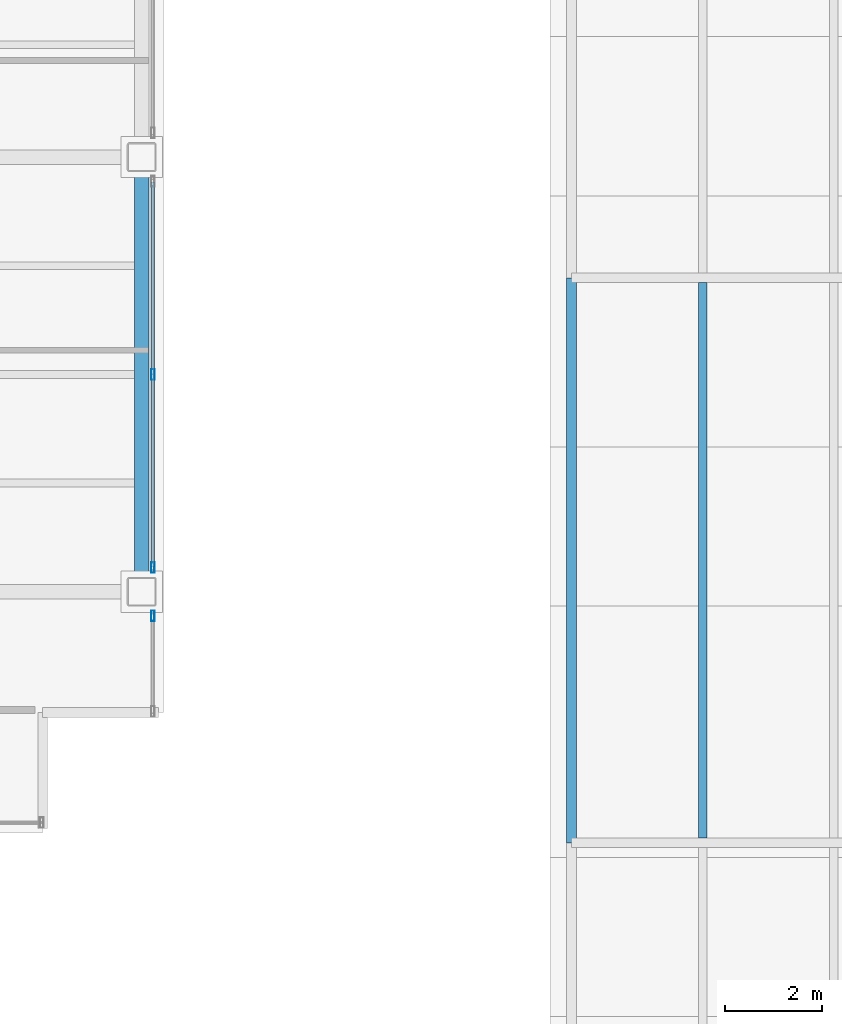
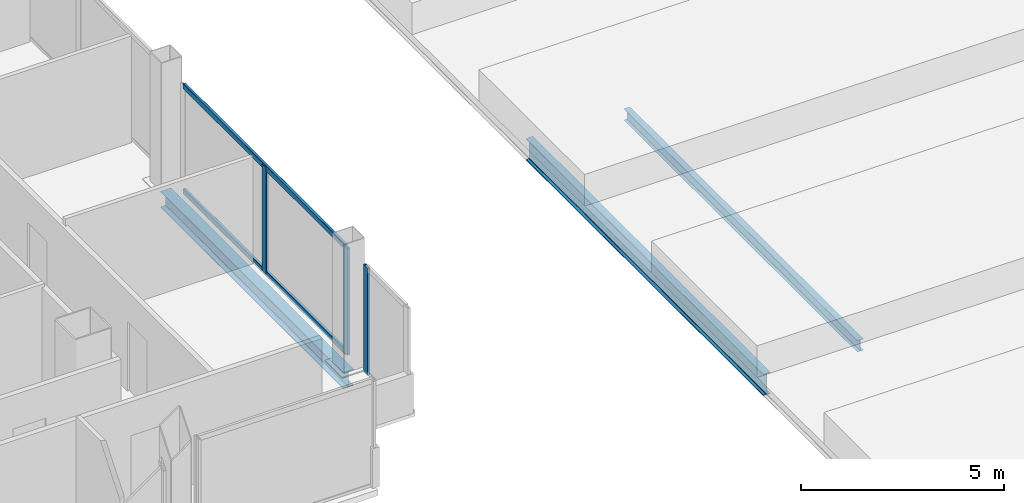
# One storey, part 12 of 30: 5 members, 3 beams, 2 elements without a shape of their own.
"""IFC4 building model written with IfcOpenShell, lengths in metres."""

import ifcopenshell
import ifcopenshell.guid

model = None  # the IFC model being written
_history = None  # IfcOwnerHistory: only IFC2X3 demands one
_inside = {}  # id of a spatial element -> (the spatial element, [elements in it])
_under = {}  # id of a project, library or spatial element -> (it, [spatial elements below it])
_declared = {}  # id of a project -> (the project, [libraries it declares])
_typed = {}  # id of a type object -> (the type object, [elements of that type])
_made_of = {}  # id of a material, layer set ... -> (it, [elements and type objects made of it])


def new_model(schema):
    """Start an empty IFC model of exactly this schema.

    Asked for "IFC4X3", IfcOpenShell would pick the latest addendum, in which some entities
    have other attributes; the version numbers below select the first issue.
    IFC2X3 requires an IfcOwnerHistory on every rooted entity: one is made here for all.
    """
    global model, _history
    if schema == "IFC4X3":
        model = ifcopenshell.file(schema_version=(4, 3, 0, 0))
    else:
        model = ifcopenshell.file(schema=schema)
    _inside.clear()
    _under.clear()
    _declared.clear()
    _typed.clear()
    _made_of.clear()
    _history = None
    if model.schema == "IFC2X3":
        org = make("IfcOrganization", Name="unknown")
        user = make(
            "IfcPersonAndOrganization",
            ThePerson=make("IfcPerson", FamilyName="unknown"),
            TheOrganization=org,
        )
        app = make(
            "IfcApplication",
            ApplicationDeveloper=org,
            Version="unknown",
            ApplicationFullName="unknown",
            ApplicationIdentifier="unknown",
        )
        _history = make(
            "IfcOwnerHistory",
            OwningUser=user,
            OwningApplication=app,
            ChangeAction="ADDED",
            CreationDate=0,
        )
    return model


def make(cls, **values):
    """One entity of the class cls with the attributes given. An attribute that is None is left unset."""
    return model.create_entity(
        cls, **{name: value for name, value in values.items() if value is not None}
    )


def rooted(cls, **values):
    """An entity with a GlobalId (a new one), such as an element, a storey or a relation."""
    return make(cls, GlobalId=ifcopenshell.guid.new(), OwnerHistory=_history, **values)


def si_unit(unit_type, name, prefix=None):
    """IfcSIUnit, for example si_unit("LENGTHUNIT", "METRE", prefix="MILLI")."""
    return make("IfcSIUnit", UnitType=unit_type, Prefix=prefix, Name=name)


def assignment(units):
    """IfcUnitAssignment: the units of a project."""
    return None if units is None else make("IfcUnitAssignment", Units=units)


def point(xyz):
    """IfcCartesianPoint."""
    return None if xyz is None else make("IfcCartesianPoint", Coordinates=xyz)


def direction(xyz):
    """IfcDirection."""
    return None if xyz is None else make("IfcDirection", DirectionRatios=xyz)


def frame(location, z_axis=None, x_axis=None):
    """IfcAxis2Placement3D, a coordinate frame: its origin and axes. An axis left out is left unset."""
    return make(
        "IfcAxis2Placement3D",
        Location=point(location),
        Axis=direction(z_axis),
        RefDirection=direction(x_axis),
    )


def frame_2d(location, x_axis=None):
    """IfcAxis2Placement2D, a coordinate frame in the plane: its origin and x axis."""
    return make(
        "IfcAxis2Placement2D", Location=point(location), RefDirection=direction(x_axis)
    )


def origin():
    """The frame at (0, 0, 0) with its axes left unset."""
    return frame((0.0, 0.0, 0.0))


def origin_2d():
    """The frame at (0, 0) in the plane with its x axis left unset."""
    return frame_2d((0.0, 0.0))


def place(relative_to, where):
    """IfcLocalPlacement: puts the frame where relative to a parent placement (None: the world)."""
    return make(
        "IfcLocalPlacement", PlacementRelTo=relative_to, RelativePlacement=where
    )


def context(
    kind, dimensions, precision=None, world=None, true_north=None, identifier=None
):
    """IfcGeometricRepresentationContext, for example the 3D "Model" context."""
    return make(
        "IfcGeometricRepresentationContext",
        ContextIdentifier=identifier,
        ContextType=kind,
        CoordinateSpaceDimension=dimensions,
        Precision=precision,
        WorldCoordinateSystem=world,
        TrueNorth=true_north,
    )


def subcontext(parent, identifier, kind, view, scale=None):
    """IfcGeometricRepresentationSubContext, for example "Body" below "Model"."""
    return make(
        "IfcGeometricRepresentationSubContext",
        ContextIdentifier=identifier,
        ContextType=kind,
        ParentContext=parent,
        TargetScale=scale,
        TargetView=view,
    )


def project(units=None, contexts=None):
    """IfcProject with its units and contexts."""
    return rooted(
        "IfcProject",
        Name="project",
        RepresentationContexts=contexts,
        UnitsInContext=assignment(units),
    )


def spatial(cls, under=None, at=None, **own):
    """A site, building, storey or space (cls), placed at a placement, below another one or the project."""
    s = rooted(cls, ObjectPlacement=at, **own)
    if under is not None:
        _under.setdefault(under.id(), (under, []))[1].append(s)
    return s


def profile(cls, at=None, kind="AREA", **sizes):
    """A parametric profile (cls). Its sizes go by their IFC names, for example OverallWidth=200.0."""
    return make(cls, ProfileType=kind, Position=at, **sizes)


def hollow_rectangle(**sizes):
    """IfcRectangleHollowProfileDef."""
    return profile("IfcRectangleHollowProfileDef", **sizes)


def i_section(**sizes):
    """IfcIShapeProfileDef."""
    return profile("IfcIShapeProfileDef", **sizes)


def extrude(swept, where, along, depth):
    """IfcExtrudedAreaSolid: the profile swept, set in the frame where, extruded along a direction by depth."""
    return make(
        "IfcExtrudedAreaSolid",
        SweptArea=swept,
        Position=where,
        ExtrudedDirection=direction(along),
        Depth=depth,
    )


def shape(context_of_items, identifier, shape_type, items):
    """IfcShapeRepresentation: the items that make up one representation, for example the "Body"."""
    return make(
        "IfcShapeRepresentation",
        ContextOfItems=context_of_items,
        RepresentationIdentifier=identifier,
        RepresentationType=shape_type,
        Items=items,
    )


def material(Name=None, Category=None):
    """IfcMaterial."""
    return make("IfcMaterial", Name=Name, Category=Category)


def material_profile(
    of_material, cross_section, Name=None, Category=None, Priority=None
):
    """IfcMaterialProfile: a cross section and its material."""
    return make(
        "IfcMaterialProfile",
        Name=Name,
        Material=of_material,
        Profile=cross_section,
        Priority=Priority,
        Category=Category,
    )


def profile_set(profiles, Name=None, composite=None):
    """IfcMaterialProfileSet."""
    return make(
        "IfcMaterialProfileSet",
        Name=Name,
        MaterialProfiles=profiles,
        CompositeProfile=composite,
    )


def made_of(thing, what):
    """Note that an element or type object is made of a material, layer set ...; save() writes the relation."""
    if what is not None:
        _made_of.setdefault(what.id(), (what, []))[1].append(thing)
    return thing


def type_object(cls, material=None, **own):
    """A type object (cls), such as IfcWallType, which elements share."""
    return made_of(rooted(cls, **own), material)


def element(
    cls,
    number,
    at=None,
    inside=None,
    cuts=None,
    type_object=None,
    material=None,
    context=None,
    identifier="Body",
    shape_type=None,
    held_by="IfcProductDefinitionShape",
    body=None,
    shapes=None,
    **own,
):
    """One element of the class cls, such as IfcWall. Its Tag is "e" and its number.

    at: its placement. inside: the storey or other place that contains it. cuts: it is an
    opening in that element (IfcRelVoidsElement). A single representation is given by context,
    identifier, shape_type and body (its items); several are given by shapes. held_by: the class
    of the entity that holds the representations. save() writes the other relations.
    """
    e = rooted(cls, Tag="e%d" % number, ObjectPlacement=at, **own)
    if body is not None:
        shapes = [shape(context, identifier, shape_type, body)]
    if shapes is not None:
        e.Representation = make(held_by, Representations=shapes)
    if inside is not None:
        _inside.setdefault(inside.id(), (inside, []))[1].append(e)
    if cuts is not None:
        rooted(
            "IfcRelVoidsElement", RelatingBuildingElement=cuts, RelatedOpeningElement=e
        )
    if type_object is not None:
        _typed.setdefault(type_object.id(), (type_object, []))[1].append(e)
    return made_of(e, material)


def aggregate(whole, parts):
    """IfcRelAggregates: a whole, such as a stair, and the parts it consists of."""
    return rooted("IfcRelAggregates", RelatingObject=whole, RelatedObjects=parts)


def save(model, path):
    """Write the relations noted so far, then the file.

    IfcRelAggregates (storeys below a building ...), IfcRelContainedInSpatialStructure (elements
    in a storey), IfcRelDefinesByType, IfcRelAssociatesMaterial and IfcRelDeclares: one each for
    every whole, place, type object, material and project.
    """
    for whole, parts in _under.values():
        aggregate(whole, parts)
    for where, things in _inside.values():
        rooted(
            "IfcRelContainedInSpatialStructure",
            RelatedElements=things,
            RelatingStructure=where,
        )
    for kind, things in _typed.values():
        rooted("IfcRelDefinesByType", RelatedObjects=things, RelatingType=kind)
    for what, things in _made_of.values():
        rooted("IfcRelAssociatesMaterial", RelatedObjects=things, RelatingMaterial=what)
    for by, libraries in _declared.values():
        rooted("IfcRelDeclares", RelatingContext=by, RelatedDefinitions=libraries)
    model.write(path)


model = new_model("IFC4")

# Units and contexts
model_context = context("Model", 3, precision=1e-05, world=origin(), true_north=direction((0.0, 1.0)))
body_context = subcontext(model_context, "Body", "Model", "MODEL_VIEW")
ifc_project = project(units=[si_unit("LENGTHUNIT", "METRE"), si_unit("AREAUNIT", "SQUARE_METRE"), si_unit("VOLUMEUNIT", "CUBIC_METRE"), si_unit("PLANEANGLEUNIT", "RADIAN"), si_unit("MASSUNIT", "GRAM", prefix="KILO")], contexts=[model_context])

# Site, building, storey
site_placement = place(None, origin())
site = spatial("IfcSite", under=ifc_project, at=site_placement, CompositionType="ELEMENT")
building_placement = place(site_placement, origin())
building = spatial("IfcBuilding", under=site, at=building_placement, Name="Noeulbin Bourse Tower", CompositionType="ELEMENT")
storey_placement = place(building_placement, frame((0.0, 0.0, 26.5)))
storey = spatial("IfcBuildingStorey", under=building, at=storey_placement, Name="L06", CompositionType="ELEMENT", Elevation=26.5)

# Beams
ifc_material_1 = material(Name="Steel S355", Category="steel")
ifc_material_profile_1 = material_profile(ifc_material_1, i_section(OverallWidth=0.199951171875, OverallDepth=0.64990234375, WebThickness=0.010986328125, FlangeThickness=0.01904296875, FilletRadius=0.02197265625, at=origin_2d()), Name="H-650x200x11x19", Category="LoadBearing")
ifc_profile_set_1 = profile_set([ifc_material_profile_1], Name="Steel S355")
beam_type_1 = type_object("IfcBeamType", Name="BM-GRD-650", PredefinedType="USERDEFINED", material=ifc_profile_set_1)
beam_1_placement = place(storey_placement, frame((60.449951171875, 14.800048828125, -0.534912109375), z_axis=(0.0, 1.0, 0.0), x_axis=(-1.0, 0.0, 0.0)))
element("IfcBeam", 1, at=beam_1_placement, inside=storey, type_object=beam_type_1, Name="Market Hall Girder NS L06-12", ObjectType="GIRDER", PredefinedType="USERDEFINED", context=body_context, shape_type="SweptSolid", body=[
    extrude(i_section(OverallWidth=0.199951171875, OverallDepth=0.64990234375, WebThickness=0.010986328125, FlangeThickness=0.01904296875, FilletRadius=0.02197265625, at=origin_2d()), origin(), (0.0, 0.0, 1.0), 11.699951171875),
])
ifc_material_profile_2 = material_profile(ifc_material_1, i_section(OverallWidth=0.175048828125, OverallDepth=0.35009765625, WebThickness=0.007080078125, FlangeThickness=0.010986328125, FilletRadius=0.013916015625, at=origin_2d()), Name="H-350x175x7x11", Category="LoadBearing")
ifc_profile_set_2 = profile_set([ifc_material_profile_2], Name="Steel S355")
beam_type_2 = type_object("IfcBeamType", Name="BM-JST-350", PredefinedType="JOIST", material=ifc_profile_set_2)
beam_2_placement = place(storey_placement, frame((63.166748046875, 14.89990234375, -0.385009765625), z_axis=(0.0, 1.0, 0.0), x_axis=(-1.0, 0.0, 0.0)))
element("IfcBeam", 2, at=beam_2_placement, inside=storey, type_object=beam_type_2, Name="Market Hall Secondary Joist L06-02", PredefinedType="JOIST", context=body_context, shape_type="SweptSolid", body=[
    extrude(i_section(OverallWidth=0.175048828125, OverallDepth=0.35009765625, WebThickness=0.007080078125, FlangeThickness=0.010986328125, FilletRadius=0.013916015625, at=origin_2d()), origin(), (0.0, 0.0, 1.0), 11.5),
])
ifc_material_profile_3 = material_profile(ifc_material_1, i_section(OverallWidth=0.300048828125, OverallDepth=0.488037109375, WebThickness=0.010986328125, FlangeThickness=0.01806640625, FilletRadius=0.02197265625, at=origin_2d()), Name="H-488x300x11x18", Category="LoadBearing")
ifc_profile_set_3 = profile_set([ifc_material_profile_3], Name="Steel S355")
beam_type_3 = type_object("IfcBeamType", Name="BM-SPN-488", PredefinedType="SPANDREL", material=ifc_profile_set_3)
beam_3_placement = place(storey_placement, frame((51.550048828125, 20.0, -0.424072265625), z_axis=(0.0, 1.0, 0.0), x_axis=(-1.0, 0.0, 0.0)))
element("IfcBeam", 3, at=beam_3_placement, inside=storey, type_object=beam_type_3, Name="East Spandrel L06-1", PredefinedType="SPANDREL", context=body_context, shape_type="SweptSolid", body=[
    extrude(i_section(OverallWidth=0.300048828125, OverallDepth=0.488037109375, WebThickness=0.010986328125, FlangeThickness=0.01806640625, FilletRadius=0.02197265625, at=origin_2d()), origin(), (0.0, 0.0, 1.0), 9.0),
])

# Curtain wall, member
ifc_material_2 = material(Name="Dark Solar-Control Double Glazing", Category="glass")
curtain_wall_type = type_object("IfcCurtainWallType", Name="CW-SYS-2", PredefinedType="NOTDEFINED", material=ifc_material_2)
curtain_wall_1_placement = place(storey_placement, origin())
curtain_wall_1 = element("IfcCurtainWall", 4, at=curtain_wall_1_placement, inside=storey, type_object=curtain_wall_type, Name="Unitised Curtain Wall CW-L06-E-S1", PredefinedType="NOTDEFINED")
ifc_material_3 = material(Name="Anodised Aluminium 6063-T6", Category="aluminium")
ifc_material_profile_4 = material_profile(ifc_material_3, hollow_rectangle(XDim=0.074951171875, YDim=0.219970703125, WallThickness=0.0048828125, InnerFilletRadius=0.00244140625, OuterFilletRadius=0.0048828125, at=origin_2d()), Name="ALU-MULL-75x220x5", Category="LoadBearing")
ifc_profile_set_4 = profile_set([ifc_material_profile_4], Name="Anodised Aluminium 6063-T6")
member_type_1 = type_object("IfcMemberType", Name="CW-SYS-2-MUL", PredefinedType="MULLION", material=ifc_profile_set_4)
member_1_placement = place(storey_placement, frame((51.780029296875, 19.5, -0.02001953125), z_axis=(0.0, 0.0, 1.0), x_axis=(1.0, 0.0, 0.0)))
member_1 = element("IfcMember", 5, at=member_1_placement, type_object=member_type_1, Name="Curtain Wall Mullion CW-L06-E-S1-M01", PredefinedType="MULLION", context=body_context, shape_type="SweptSolid", body=[
    extrude(hollow_rectangle(XDim=0.074951171875, YDim=0.219970703125, WallThickness=0.0048828125, InnerFilletRadius=0.00244140625, OuterFilletRadius=0.0048828125, at=origin_2d()), origin(), (0.0, 0.0, 1.0), 3.219970703125),
])
aggregate(curtain_wall_1, [member_1])

# Curtain wall, members
curtain_wall_2_placement = place(storey_placement, origin())
curtain_wall_2 = element("IfcCurtainWall", 6, at=curtain_wall_2_placement, inside=storey, type_object=curtain_wall_type, Name="Unitised Curtain Wall CW-L06-E-S2", PredefinedType="NOTDEFINED")
member_2_placement = place(storey_placement, frame((51.780029296875, 20.5, -0.02001953125), z_axis=(0.0, 0.0, 1.0), x_axis=(1.0, 0.0, 0.0)))
member_2 = element("IfcMember", 7, at=member_2_placement, type_object=member_type_1, Name="Curtain Wall Mullion CW-L06-E-S2-M00", PredefinedType="MULLION", context=body_context, shape_type="SweptSolid", body=[
    extrude(hollow_rectangle(XDim=0.074951171875, YDim=0.219970703125, WallThickness=0.0048828125, InnerFilletRadius=0.00244140625, OuterFilletRadius=0.0048828125, at=origin_2d()), origin(), (0.0, 0.0, 1.0), 3.219970703125),
])
member_3_placement = place(storey_placement, frame((51.780029296875, 24.5, -0.02001953125), z_axis=(0.0, 0.0, 1.0), x_axis=(1.0, 0.0, 0.0)))
member_3 = element("IfcMember", 8, at=member_3_placement, type_object=member_type_1, Name="Curtain Wall Mullion CW-L06-E-S2-M01", PredefinedType="MULLION", context=body_context, shape_type="SweptSolid", body=[
    extrude(hollow_rectangle(XDim=0.074951171875, YDim=0.219970703125, WallThickness=0.0048828125, InnerFilletRadius=0.00244140625, OuterFilletRadius=0.0048828125, at=origin_2d()), origin(), (0.0, 0.0, 1.0), 3.219970703125),
])
ifc_material_profile_5 = material_profile(ifc_material_3, hollow_rectangle(XDim=0.074951171875, YDim=0.159912109375, WallThickness=0.0048828125, InnerFilletRadius=0.00244140625, OuterFilletRadius=0.0048828125, at=origin_2d()), Name="ALU-TRAN-75x160x5", Category="LoadBearing")
ifc_profile_set_5 = profile_set([ifc_material_profile_5], Name="Anodised Aluminium 6063-T6")
member_type_2 = type_object("IfcMemberType", Name="CW-SYS-2-TRN", PredefinedType="USERDEFINED", material=ifc_profile_set_5)
member_4_placement = place(storey_placement, frame((51.780029296875, 20.510009765625, 0.010009765625), z_axis=(0.0, 1.0, 0.0), x_axis=(-1.0, 0.0, 0.0)))
member_4 = element("IfcMember", 9, at=member_4_placement, type_object=member_type_2, Name="Curtain Wall Transom CW-L06-E-S2-T00", ObjectType="TRANSOM", PredefinedType="USERDEFINED", context=body_context, shape_type="SweptSolid", body=[
    extrude(hollow_rectangle(XDim=0.074951171875, YDim=0.159912109375, WallThickness=0.0048828125, InnerFilletRadius=0.00244140625, OuterFilletRadius=0.0048828125, at=origin_2d()), origin(), (0.0, 0.0, 1.0), 7.97998046875),
])
member_5_placement = place(storey_placement, frame((51.780029296875, 20.510009765625, 3.169921875), z_axis=(0.0, 1.0, 0.0), x_axis=(-1.0, 0.0, 0.0)))
member_5 = element("IfcMember", 10, at=member_5_placement, type_object=member_type_2, Name="Curtain Wall Transom CW-L06-E-S2-T01", ObjectType="TRANSOM", PredefinedType="USERDEFINED", context=body_context, shape_type="SweptSolid", body=[
    extrude(hollow_rectangle(XDim=0.074951171875, YDim=0.159912109375, WallThickness=0.0048828125, InnerFilletRadius=0.00244140625, OuterFilletRadius=0.0048828125, at=origin_2d()), origin(), (0.0, 0.0, 1.0), 7.97998046875),
])
aggregate(curtain_wall_2, [member_2, member_3, member_4, member_5])

save(model, "model.ifc")
